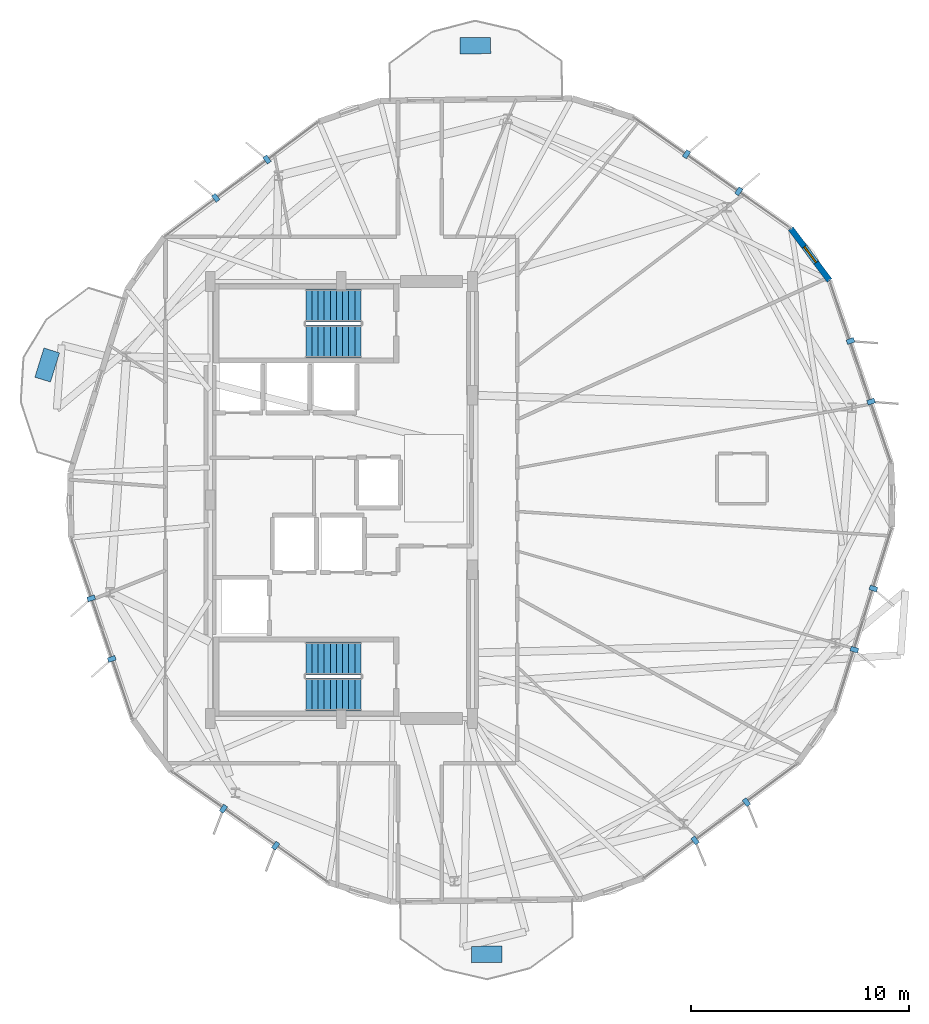
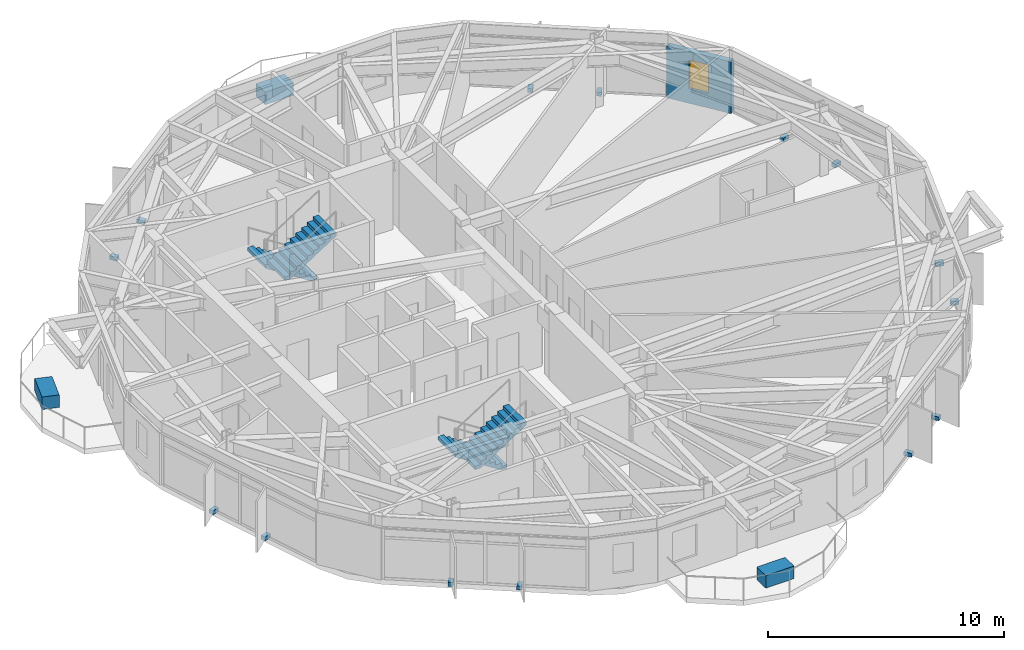
# One storey, part 24 of 27: 17 discrete accessories, 4 stair flights, 1 wall, 1 window, 1 opening, 2 elements without a shape of their own.
"""IFC4 building model written with IfcOpenShell, lengths in metres."""

from ifc_helpers import new_model, si_unit, direction, frame, frame_2d, origin, origin_2d, place, context, subcontext, project, spatial, polyline, rectangle, outline, extrude, material, layer, layer_set, type_object, element, fill, aggregate, save


model = new_model("IFC4")

# Units and contexts
model_context = context("Model", 3, precision=1e-05, world=origin(), true_north=direction((0.0, 1.0)))
body_context = subcontext(model_context, "Body", "Model", "MODEL_VIEW")
ifc_project = project(units=[si_unit("LENGTHUNIT", "METRE"), si_unit("AREAUNIT", "SQUARE_METRE"), si_unit("VOLUMEUNIT", "CUBIC_METRE"), si_unit("PLANEANGLEUNIT", "RADIAN"), si_unit("MASSUNIT", "GRAM", prefix="KILO")], contexts=[model_context])

# Site, building, storey
site_placement = place(None, origin())
site = spatial("IfcSite", under=ifc_project, at=site_placement, CompositionType="ELEMENT")
building_placement = place(site_placement, origin())
building = spatial("IfcBuilding", under=site, at=building_placement, Name="Soratama Intermodal Tower", CompositionType="ELEMENT")
storey_placement = place(building_placement, frame((0.0, 0.0, 167.800048828125)))
storey = spatial("IfcBuildingStorey", under=building, at=storey_placement, Name="L41", CompositionType="ELEMENT", Elevation=167.800048828125)

# Wall, opening, window
ifc_material_1 = material(Name="Concrete f'c 42 MPa", Category="concrete")
ifc_layer_1 = layer(ifc_material_1, 0.27001953125)
ifc_layer_set_1 = layer_set([ifc_layer_1], Name="Concrete f'c 42 MPa")
wall_type = type_object("IfcWallType", Name="EW-CRN-270", PredefinedType="SOLIDWALL", material=ifc_layer_set_1)
wall_placement = place(storey_placement, frame((60.948486328125, 35.0458984375, 0.0), z_axis=(0.0, 0.0, 1.0), x_axis=(-0.597891104192, 0.80157733721, 0.0)))
wall = element("IfcWall", 1, at=wall_placement, inside=storey, type_object=wall_type, Name="L41 Corner Closure Wall 10", PredefinedType="SOLIDWALL", context=body_context, shape_type="SweptSolid", body=[
    extrude(rectangle(XDim=2.966552734375, YDim=0.27001953125, at=frame_2d((1.4833984375, 0.0))), origin(), (0.0, 0.0, 1.0), 2.678955078125),
])
opening_placement = place(wall_placement, frame((1.033203125, 0.0, 0.75)))
opening = element("IfcOpeningElement", 2, at=opening_placement, cuts=wall, Name="Opening WN-6", PredefinedType="OPENING", context=body_context, shape_type="SweptSolid", body=[
    extrude(rectangle(XDim=0.89990234375, YDim=1.5, at=frame_2d((0.449951171875, 0.75))), frame((0.0, 0.14501953125, 0.0), z_axis=(0.0, -1.0, 0.0), x_axis=(1.0, 0.0, 0.0)), (0.0, 0.0, 1.0), 0.2900390625),
])
ifc_material_2 = material(Name="Double-glazed aluminium window", Category="aluminium")
window_type = type_object("IfcWindowType", Name="WN-FAC-900", PartitioningType="SINGLE_PANEL", PredefinedType="WINDOW", material=ifc_material_2)
window_placement = place(opening_placement, origin())
window = element("IfcWindow", 3, at=window_placement, inside=storey, type_object=window_type, Name="L41 Corner Window 10", OverallHeight=1.5, OverallWidth=0.89990234375, PartitioningType="SINGLE_PANEL", PredefinedType="WINDOW", context=body_context, shape_type="SweptSolid", body=[
    extrude(rectangle(XDim=0.89990234375, YDim=1.5, at=frame_2d((0.449951171875, 0.75))), frame((0.0, 0.030029296875, 0.0), z_axis=(0.0, -1.0, 0.0), x_axis=(1.0, 0.0, 0.0)), (0.0, 0.0, 1.0), 0.06005859375),
])
fill(opening, window)

# Stair, stair flights
ifc_material_3 = material(Name="Concrete f'c 42 MPa", Category="concrete")
stair_type = type_object("IfcStairType", Name="ST-CORE-DOGLEG", PredefinedType="HALF_TURN_STAIR", material=ifc_material_3)
stair_1_placement = place(storey_placement, origin())
stair_1 = element("IfcStair", 4, at=stair_1_placement, inside=storey, type_object=stair_type, Name="L41 ST-1", PredefinedType="HALF_TURN_STAIR")
ifc_material_4 = material(Name="Precast concrete f'c 40 MPa", Category="concrete")
ifc_layer_2 = layer(ifc_material_4, 0.199951171875)
ifc_layer_set_2 = layer_set([ifc_layer_2], Name="Precast concrete f'c 40 MPa")
stair_flight_type = type_object("IfcStairFlightType", Name="SF-FLIGHT-RC", PredefinedType="STRAIGHT", material=ifc_layer_set_2)
stair_flight_1_placement = place(storey_placement, frame((39.5, 17.75, 0.0), z_axis=(0.0, 0.0, 1.0), x_axis=(-1.0, 0.0, 0.0)))
stair_flight_1 = element("IfcStairFlight", 5, at=stair_flight_1_placement, type_object=stair_flight_type, Name="ST-1 flight 1", NumberOfRisers=10, NumberOfTreads=9, PredefinedType="STRAIGHT", RiserHeight=0.18, TreadLength=0.28, context=body_context, shape_type="SweptSolid", body=[
    extrude(outline(polyline([(0.0, 0.0), (0.0, 0.179931640625), (0.280029296875, 0.179931640625), (0.280029296875, 0.360107421875), (0.56005859375, 0.360107421875), (0.56005859375, 0.5400390625), (0.840087890625, 0.5400390625), (0.840087890625, 0.719970703125), (1.1201171875, 0.719970703125), (1.1201171875, 0.89990234375), (1.39990234375, 0.89990234375), (1.39990234375, 1.080078125), (1.679931640625, 1.080078125), (1.679931640625, 1.260009765625), (1.9599609375, 1.260009765625), (1.9599609375, 1.43994140625), (2.239990234375, 1.43994140625), (2.239990234375, 1.6201171875), (2.52001953125, 1.6201171875), (2.52001953125, 1.800048828125), (2.52001953125, 1.44189453125), (0.277099609375, 0.0), (0.0, 0.0)])), frame((0.0, 0.75, 0.0), z_axis=(0.0, -1.0, 0.0), x_axis=(1.0, 0.0, 0.0)), (0.0, 0.0, 1.0), 1.5),
])
stair_flight_2_placement = place(storey_placement, frame((36.97998046875, 16.10009765625, 1.800048828125), z_axis=(0.0, 0.0, 1.0), x_axis=(1.0, 0.0, 0.0)))
stair_flight_2 = element("IfcStairFlight", 6, at=stair_flight_2_placement, type_object=stair_flight_type, Name="ST-1 flight 2", NumberOfRisers=10, NumberOfTreads=9, PredefinedType="STRAIGHT", RiserHeight=0.18, TreadLength=0.28, context=body_context, shape_type="SweptSolid", body=[
    extrude(outline(polyline([(0.0, 0.0), (0.0, 0.179931640625), (0.280029296875, 0.179931640625), (0.280029296875, 0.360107421875), (0.56005859375, 0.360107421875), (0.56005859375, 0.5400390625), (0.840087890625, 0.5400390625), (0.840087890625, 0.719970703125), (1.1201171875, 0.719970703125), (1.1201171875, 0.89990234375), (1.39990234375, 0.89990234375), (1.39990234375, 1.080078125), (1.679931640625, 1.080078125), (1.679931640625, 1.260009765625), (1.9599609375, 1.260009765625), (1.9599609375, 1.43994140625), (2.239990234375, 1.43994140625), (2.239990234375, 1.6201171875), (2.52001953125, 1.6201171875), (2.52001953125, 1.800048828125), (2.52001953125, 1.44189453125), (0.277099609375, 0.0), (0.0, 0.0)])), frame((0.0, 0.75, 0.0), z_axis=(0.0, -1.0, 0.0), x_axis=(1.0, 0.0, 0.0)), (0.0, 0.0, 1.0), 1.5),
])
aggregate(stair_1, [stair_flight_1, stair_flight_2])

stair_2_placement = place(storey_placement, origin())
stair_2 = element("IfcStair", 7, at=stair_2_placement, inside=storey, type_object=stair_type, Name="L41 ST-2", PredefinedType="HALF_TURN_STAIR")
stair_flight_3_placement = place(storey_placement, frame((39.5, 33.89990234375, 0.0), z_axis=(0.0, 0.0, 1.0), x_axis=(-1.0, 0.0, 0.0)))
stair_flight_3 = element("IfcStairFlight", 8, at=stair_flight_3_placement, type_object=stair_flight_type, Name="ST-2 flight 1", NumberOfRisers=10, NumberOfTreads=9, PredefinedType="STRAIGHT", RiserHeight=0.18, TreadLength=0.28, context=body_context, shape_type="SweptSolid", body=[
    extrude(outline(polyline([(0.0, 0.0), (0.0, 0.179931640625), (0.280029296875, 0.179931640625), (0.280029296875, 0.360107421875), (0.56005859375, 0.360107421875), (0.56005859375, 0.5400390625), (0.840087890625, 0.5400390625), (0.840087890625, 0.719970703125), (1.1201171875, 0.719970703125), (1.1201171875, 0.89990234375), (1.39990234375, 0.89990234375), (1.39990234375, 1.080078125), (1.679931640625, 1.080078125), (1.679931640625, 1.260009765625), (1.9599609375, 1.260009765625), (1.9599609375, 1.43994140625), (2.239990234375, 1.43994140625), (2.239990234375, 1.6201171875), (2.52001953125, 1.6201171875), (2.52001953125, 1.800048828125), (2.52001953125, 1.44189453125), (0.277099609375, 0.0), (0.0, 0.0)])), frame((0.0, 0.75, 0.0), z_axis=(0.0, -1.0, 0.0), x_axis=(1.0, 0.0, 0.0)), (0.0, 0.0, 1.0), 1.5),
])
stair_flight_4_placement = place(storey_placement, frame((36.97998046875, 32.25, 1.800048828125), z_axis=(0.0, 0.0, 1.0), x_axis=(1.0, 0.0, 0.0)))
stair_flight_4 = element("IfcStairFlight", 9, at=stair_flight_4_placement, type_object=stair_flight_type, Name="ST-2 flight 2", NumberOfRisers=10, NumberOfTreads=9, PredefinedType="STRAIGHT", RiserHeight=0.18, TreadLength=0.28, context=body_context, shape_type="SweptSolid", body=[
    extrude(outline(polyline([(0.0, 0.0), (0.0, 0.179931640625), (0.280029296875, 0.179931640625), (0.280029296875, 0.360107421875), (0.56005859375, 0.360107421875), (0.56005859375, 0.5400390625), (0.840087890625, 0.5400390625), (0.840087890625, 0.719970703125), (1.1201171875, 0.719970703125), (1.1201171875, 0.89990234375), (1.39990234375, 0.89990234375), (1.39990234375, 1.080078125), (1.679931640625, 1.080078125), (1.679931640625, 1.260009765625), (1.9599609375, 1.260009765625), (1.9599609375, 1.43994140625), (2.239990234375, 1.43994140625), (2.239990234375, 1.6201171875), (2.52001953125, 1.6201171875), (2.52001953125, 1.800048828125), (2.52001953125, 1.44189453125), (0.277099609375, 0.0), (0.0, 0.0)])), frame((0.0, 0.75, 0.0), z_axis=(0.0, -1.0, 0.0), x_axis=(1.0, 0.0, 0.0)), (0.0, 0.0, 1.0), 1.5),
])
aggregate(stair_2, [stair_flight_3, stair_flight_4])

# Discrete accessories
ifc_material_5 = material(Name="Structural steel ASTM A992 Grade 50", Category="steel")
discrete_accessory_type_1 = type_object("IfcDiscreteAccessoryType", Name="AC-FIN-BRACKET", PredefinedType="BRACKET", material=ifc_material_5)
for number, where, z_axis, x_axis, name in (
    (10, (56.794189453125, 39.1328125, -0.080078125), (0.0, 0.0, 1.0), (0.577572703422, 0.816339250717, 0.0), "L41 Fin Bracket F01-1"),
    (11, (54.401611328125, 40.8251953125, -0.080078125), (0.0, 0.0, 1.0), (0.577572703422, 0.816339250717, 0.0), "L41 Fin Bracket F01-2"),
    (12, (35.20361328125, 40.583984375, -0.080078125), (0.0, 0.0, 1.0), (-0.597904983058, 0.801566984871, 0.0), "L41 Fin Bracket F03-1"),
    (13, (32.8544921875, 38.831787109375, -0.080078125), (0.0, 0.0, 1.0), (-0.597904983058, 0.801566984871, 0.0), "L41 Fin Bracket F03-2"),
    (14, (27.1513671875, 20.498779296875, -0.080078125), (0.0, 0.0, 1.0), (-0.947098304995, -0.320943609807, 0.0), "L41 Fin Bracket F05-1"),
    (15, (28.091796875, 17.72314453125, -0.080078125), (0.0, 0.0, 1.0), (-0.947098304995, -0.320943609807, 0.0), "L41 Fin Bracket F05-2"),
    (16, (33.205810546875, 10.8671875, -0.080078125), (0.0, 0.0, 1.0), (-0.577572703422, -0.816339250717, 0.0), "L41 Fin Bracket F06-1"),
    (17, (35.598388671875, 9.1748046875, -0.080078125), (0.0, 0.0, 1.0), (-0.577572703422, -0.816339250717, 0.0), "L41 Fin Bracket F06-2"),
    (18, (54.79638671875, 9.416015625, -0.080078125), (0.0, 0.0, 1.0), (0.597904983058, -0.801566984871, 0.0), "L41 Fin Bracket F08-1"),
    (19, (57.1455078125, 11.168212890625, -0.080078125), (0.0, 0.0, 1.0), (0.597904983058, -0.801566984871, 0.0), "L41 Fin Bracket F08-2"),
    (20, (62.085693359375, 18.150390625, -0.080078125), (0.0, 0.0, 1.0), (0.954864544747, -0.297041581577, 0.0), "L41 Fin Bracket F09-1"),
    (21, (62.9560546875, 20.94873046875, -0.080078125), (0.0, 0.0, 1.0), (0.954864544747, -0.297041581577, 0.0), "L41 Fin Bracket F09-2"),
    (22, (62.8486328125, 29.501220703125, -0.080078125), (0.0, 0.0, 1.0), (0.947098304995, 0.320943609807, 0.0), "L41 Fin Bracket F10-1"),
    (23, (61.908203125, 32.27685546875, -0.080078125), (0.0, 0.0, 1.0), (0.947098304995, 0.320943609807, 0.0), "L41 Fin Bracket F10-2"),
):
    element("IfcDiscreteAccessory", number, at=place(storey_placement, frame(where, z_axis=z_axis, x_axis=x_axis)), inside=storey, type_object=discrete_accessory_type_1, Name=name, PredefinedType="BRACKET", context=body_context, shape_type="SweptSolid", body=[
        extrude(rectangle(XDim=0.360107421875, YDim=0.219970703125, at=origin_2d()), origin(), (0.0, 0.0, 1.0), 0.199951171875),
    ])
ifc_material_6 = material(Name="Precast concrete f'c 40 MPa", Category="concrete")
discrete_accessory_type_2 = type_object("IfcDiscreteAccessoryType", Name="AC-PLANTER-TREE", PredefinedType="USERDEFINED", material=ifc_material_6)
for number, where, z_axis, x_axis, name in (
    (24, (44.73876953125, 45.79736328125, 0.0), (0.0, 0.0, 1.0), (-0.012566039883, 0.999921044204, 0.0), "L41 Tree Planter 1"),
    (25, (25.1396484375, 31.177978515625, 0.0), (0.0, 0.0, 1.0), (-0.954864544747, 0.297041581577, 0.0), "L41 Tree Planter 2"),
    (26, (45.26123046875, 4.20263671875, 0.0), (0.0, 0.0, 1.0), (0.012566039883, -0.999921044204, 0.0), "L41 Tree Planter 3"),
):
    element("IfcDiscreteAccessory", number, at=place(storey_placement, frame(where, z_axis=z_axis, x_axis=x_axis)), inside=storey, type_object=discrete_accessory_type_2, Name=name, ObjectType="PLANTER", PredefinedType="USERDEFINED", context=body_context, shape_type="SweptSolid", body=[
        extrude(rectangle(XDim=0.75, YDim=1.39990234375, at=origin_2d()), origin(), (0.0, 0.0, 1.0), 0.64990234375),
    ])

save(model, "model.ifc")
